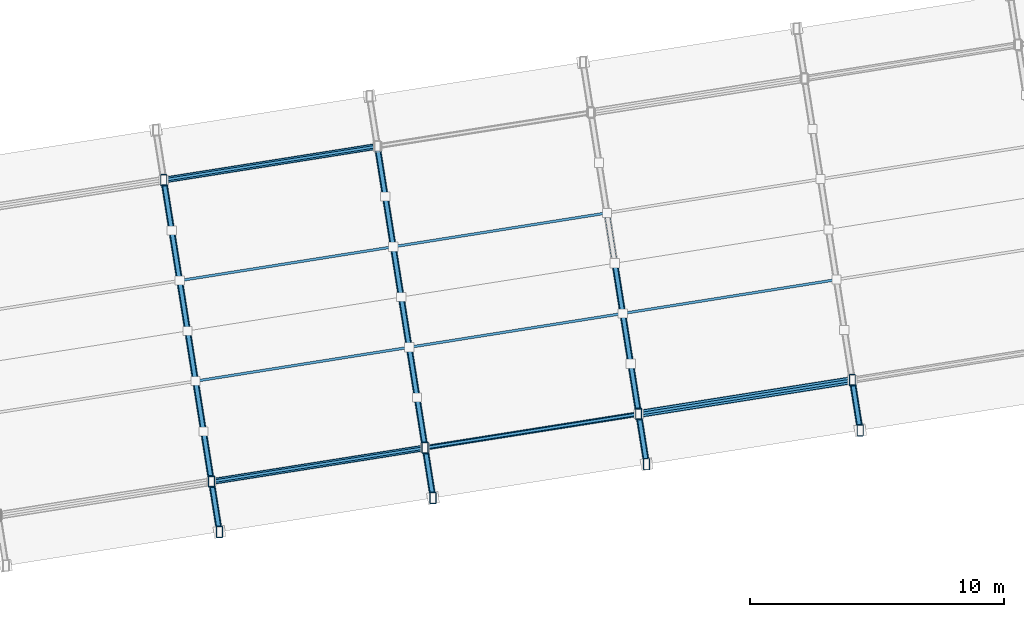
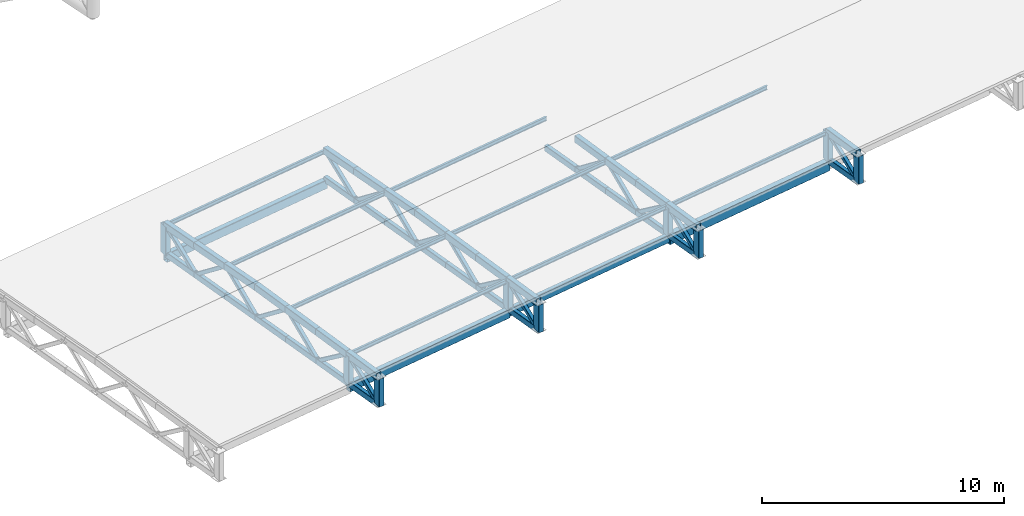
# One storey, part 19 of 137: 76 members, 4 beams.
"""IFC4 building model written with IfcOpenShell, lengths in metres."""

import ifcopenshell
import ifcopenshell.guid

model = None  # the IFC model being written
_history = None  # IfcOwnerHistory: only IFC2X3 demands one
_inside = {}  # id of a spatial element -> (the spatial element, [elements in it])
_under = {}  # id of a project, library or spatial element -> (it, [spatial elements below it])
_declared = {}  # id of a project -> (the project, [libraries it declares])
_typed = {}  # id of a type object -> (the type object, [elements of that type])
_made_of = {}  # id of a material, layer set ... -> (it, [elements and type objects made of it])


def new_model(schema):
    """Start an empty IFC model of exactly this schema.

    Asked for "IFC4X3", IfcOpenShell would pick the latest addendum, in which some entities
    have other attributes; the version numbers below select the first issue.
    IFC2X3 requires an IfcOwnerHistory on every rooted entity: one is made here for all.
    """
    global model, _history
    if schema == "IFC4X3":
        model = ifcopenshell.file(schema_version=(4, 3, 0, 0))
    else:
        model = ifcopenshell.file(schema=schema)
    _inside.clear()
    _under.clear()
    _declared.clear()
    _typed.clear()
    _made_of.clear()
    _history = None
    if model.schema == "IFC2X3":
        org = make("IfcOrganization", Name="unknown")
        user = make(
            "IfcPersonAndOrganization",
            ThePerson=make("IfcPerson", FamilyName="unknown"),
            TheOrganization=org,
        )
        app = make(
            "IfcApplication",
            ApplicationDeveloper=org,
            Version="unknown",
            ApplicationFullName="unknown",
            ApplicationIdentifier="unknown",
        )
        _history = make(
            "IfcOwnerHistory",
            OwningUser=user,
            OwningApplication=app,
            ChangeAction="ADDED",
            CreationDate=0,
        )
    return model


def make(cls, **values):
    """One entity of the class cls with the attributes given. An attribute that is None is left unset."""
    return model.create_entity(
        cls, **{name: value for name, value in values.items() if value is not None}
    )


def rooted(cls, **values):
    """An entity with a GlobalId (a new one), such as an element, a storey or a relation."""
    return make(cls, GlobalId=ifcopenshell.guid.new(), OwnerHistory=_history, **values)


def si_unit(unit_type, name, prefix=None):
    """IfcSIUnit, for example si_unit("LENGTHUNIT", "METRE", prefix="MILLI")."""
    return make("IfcSIUnit", UnitType=unit_type, Prefix=prefix, Name=name)


def assignment(units):
    """IfcUnitAssignment: the units of a project."""
    return None if units is None else make("IfcUnitAssignment", Units=units)


def point(xyz):
    """IfcCartesianPoint."""
    return None if xyz is None else make("IfcCartesianPoint", Coordinates=xyz)


def direction(xyz):
    """IfcDirection."""
    return None if xyz is None else make("IfcDirection", DirectionRatios=xyz)


def frame(location, z_axis=None, x_axis=None):
    """IfcAxis2Placement3D, a coordinate frame: its origin and axes. An axis left out is left unset."""
    return make(
        "IfcAxis2Placement3D",
        Location=point(location),
        Axis=direction(z_axis),
        RefDirection=direction(x_axis),
    )


def frame_2d(location, x_axis=None):
    """IfcAxis2Placement2D, a coordinate frame in the plane: its origin and x axis."""
    return make(
        "IfcAxis2Placement2D", Location=point(location), RefDirection=direction(x_axis)
    )


def origin():
    """The frame at (0, 0, 0) with its axes left unset."""
    return frame((0.0, 0.0, 0.0))


def origin_2d():
    """The frame at (0, 0) in the plane with its x axis left unset."""
    return frame_2d((0.0, 0.0))


def place(relative_to, where):
    """IfcLocalPlacement: puts the frame where relative to a parent placement (None: the world)."""
    return make(
        "IfcLocalPlacement", PlacementRelTo=relative_to, RelativePlacement=where
    )


def context(
    kind, dimensions, precision=None, world=None, true_north=None, identifier=None
):
    """IfcGeometricRepresentationContext, for example the 3D "Model" context."""
    return make(
        "IfcGeometricRepresentationContext",
        ContextIdentifier=identifier,
        ContextType=kind,
        CoordinateSpaceDimension=dimensions,
        Precision=precision,
        WorldCoordinateSystem=world,
        TrueNorth=true_north,
    )


def subcontext(parent, identifier, kind, view, scale=None):
    """IfcGeometricRepresentationSubContext, for example "Body" below "Model"."""
    return make(
        "IfcGeometricRepresentationSubContext",
        ContextIdentifier=identifier,
        ContextType=kind,
        ParentContext=parent,
        TargetScale=scale,
        TargetView=view,
    )


def project(units=None, contexts=None):
    """IfcProject with its units and contexts."""
    return rooted(
        "IfcProject",
        Name="project",
        RepresentationContexts=contexts,
        UnitsInContext=assignment(units),
    )


def spatial(cls, under=None, at=None, **own):
    """A site, building, storey or space (cls), placed at a placement, below another one or the project."""
    s = rooted(cls, ObjectPlacement=at, **own)
    if under is not None:
        _under.setdefault(under.id(), (under, []))[1].append(s)
    return s


def profile(cls, at=None, kind="AREA", **sizes):
    """A parametric profile (cls). Its sizes go by their IFC names, for example OverallWidth=200.0."""
    return make(cls, ProfileType=kind, Position=at, **sizes)


def hollow_rectangle(**sizes):
    """IfcRectangleHollowProfileDef."""
    return profile("IfcRectangleHollowProfileDef", **sizes)


def i_section(**sizes):
    """IfcIShapeProfileDef."""
    return profile("IfcIShapeProfileDef", **sizes)


def extrude(swept, where, along, depth):
    """IfcExtrudedAreaSolid: the profile swept, set in the frame where, extruded along a direction by depth."""
    return make(
        "IfcExtrudedAreaSolid",
        SweptArea=swept,
        Position=where,
        ExtrudedDirection=direction(along),
        Depth=depth,
    )


def shape(context_of_items, identifier, shape_type, items):
    """IfcShapeRepresentation: the items that make up one representation, for example the "Body"."""
    return make(
        "IfcShapeRepresentation",
        ContextOfItems=context_of_items,
        RepresentationIdentifier=identifier,
        RepresentationType=shape_type,
        Items=items,
    )


def material(Name=None, Category=None):
    """IfcMaterial."""
    return make("IfcMaterial", Name=Name, Category=Category)


def material_profile(
    of_material, cross_section, Name=None, Category=None, Priority=None
):
    """IfcMaterialProfile: a cross section and its material."""
    return make(
        "IfcMaterialProfile",
        Name=Name,
        Material=of_material,
        Profile=cross_section,
        Priority=Priority,
        Category=Category,
    )


def profile_set(profiles, Name=None, composite=None):
    """IfcMaterialProfileSet."""
    return make(
        "IfcMaterialProfileSet",
        Name=Name,
        MaterialProfiles=profiles,
        CompositeProfile=composite,
    )


def made_of(thing, what):
    """Note that an element or type object is made of a material, layer set ...; save() writes the relation."""
    if what is not None:
        _made_of.setdefault(what.id(), (what, []))[1].append(thing)
    return thing


def type_object(cls, material=None, **own):
    """A type object (cls), such as IfcWallType, which elements share."""
    return made_of(rooted(cls, **own), material)


def element(
    cls,
    number,
    at=None,
    inside=None,
    cuts=None,
    type_object=None,
    material=None,
    context=None,
    identifier="Body",
    shape_type=None,
    held_by="IfcProductDefinitionShape",
    body=None,
    shapes=None,
    **own,
):
    """One element of the class cls, such as IfcWall. Its Tag is "e" and its number.

    at: its placement. inside: the storey or other place that contains it. cuts: it is an
    opening in that element (IfcRelVoidsElement). A single representation is given by context,
    identifier, shape_type and body (its items); several are given by shapes. held_by: the class
    of the entity that holds the representations. save() writes the other relations.
    """
    e = rooted(cls, Tag="e%d" % number, ObjectPlacement=at, **own)
    if body is not None:
        shapes = [shape(context, identifier, shape_type, body)]
    if shapes is not None:
        e.Representation = make(held_by, Representations=shapes)
    if inside is not None:
        _inside.setdefault(inside.id(), (inside, []))[1].append(e)
    if cuts is not None:
        rooted(
            "IfcRelVoidsElement", RelatingBuildingElement=cuts, RelatedOpeningElement=e
        )
    if type_object is not None:
        _typed.setdefault(type_object.id(), (type_object, []))[1].append(e)
    return made_of(e, material)


def aggregate(whole, parts):
    """IfcRelAggregates: a whole, such as a stair, and the parts it consists of."""
    return rooted("IfcRelAggregates", RelatingObject=whole, RelatedObjects=parts)


def save(model, path):
    """Write the relations noted so far, then the file.

    IfcRelAggregates (storeys below a building ...), IfcRelContainedInSpatialStructure (elements
    in a storey), IfcRelDefinesByType, IfcRelAssociatesMaterial and IfcRelDeclares: one each for
    every whole, place, type object, material and project.
    """
    for whole, parts in _under.values():
        aggregate(whole, parts)
    for where, things in _inside.values():
        rooted(
            "IfcRelContainedInSpatialStructure",
            RelatedElements=things,
            RelatingStructure=where,
        )
    for kind, things in _typed.values():
        rooted("IfcRelDefinesByType", RelatedObjects=things, RelatingType=kind)
    for what, things in _made_of.values():
        rooted("IfcRelAssociatesMaterial", RelatedObjects=things, RelatingMaterial=what)
    for by, libraries in _declared.values():
        rooted("IfcRelDeclares", RelatingContext=by, RelatedDefinitions=libraries)
    model.write(path)


model = new_model("IFC4")

# Units and contexts
model_context = context("Model", 3, precision=1e-05, world=origin(), true_north=direction((0.0, 1.0)))
body_context = subcontext(model_context, "Body", "Model", "MODEL_VIEW")
ifc_project = project(units=[si_unit("LENGTHUNIT", "METRE"), si_unit("AREAUNIT", "SQUARE_METRE"), si_unit("VOLUMEUNIT", "CUBIC_METRE"), si_unit("PLANEANGLEUNIT", "RADIAN"), si_unit("MASSUNIT", "GRAM", prefix="KILO")], contexts=[model_context])

# Site, building, storey
site_placement = place(None, origin())
site = spatial("IfcSite", under=ifc_project, at=site_placement, CompositionType="ELEMENT")
building_placement = place(site_placement, origin())
building = spatial("IfcBuilding", under=site, at=building_placement, Name="Khorjan Park Terminus", CompositionType="ELEMENT")
storey_placement = place(building_placement, frame((0.0, 0.0, 11.4)))
storey = spatial("IfcBuildingStorey", under=building, at=storey_placement, Name="L02", CompositionType="ELEMENT", Elevation=11.4)

# Members
ifc_material = material(Name="Steel S355", Category="steel")
ifc_material_profile_1 = material_profile(ifc_material, hollow_rectangle(XDim=0.18, YDim=0.18, WallThickness=0.01, InnerFilletRadius=0.01, OuterFilletRadius=0.02, at=origin_2d()), Name="SHS 180x180x10")
ifc_profile_set_1 = profile_set([ifc_material_profile_1], Name="Steel S355")
member_type_1 = type_object("IfcMemberType", Name="MB-BR-SHS180E", PredefinedType="BRACE", material=ifc_profile_set_1)
for number, where, z_axis, x_axis, name in (
    (1, (62.7082, -10.6457, -2.0), (-0.126923459014, 0.801549235728, 0.584302368861), (-0.987693950393, -0.156399042059, 0.0), "Arrival canopy flat truss web brace TB-S18 (2)"),
    (2, (62.3954, -8.6703, -0.56), (-0.126963381588, 0.801545107028, -0.584299359178), (-0.987686225577, -0.156447818155, 0.0), "Arrival canopy flat truss web brace TB-S18 (2)"),
):
    element("IfcMember", number, at=place(storey_placement, frame(where, z_axis=z_axis, x_axis=x_axis)), inside=storey, type_object=member_type_1, Name=name, PredefinedType="BRACE", context=body_context, shape_type="SweptSolid", body=[
        extrude(hollow_rectangle(XDim=0.18, YDim=0.18, WallThickness=0.01, InnerFilletRadius=0.01, OuterFilletRadius=0.02, at=origin_2d()), origin(), (0.0, 0.0, 1.0), 2.4645),
    ])
member_1_placement = place(storey_placement, frame((62.0825, -6.6949, -2.0), z_axis=(-0.124562373336, 0.786347254878, 0.605096859928), x_axis=(-0.987685001707, -0.156455544492, 0.0)))
element("IfcMember", 3, at=member_1_placement, inside=storey, type_object=member_type_1, Name="Arrival canopy flat truss web brace TB-S18 (2)", PredefinedType="BRACE", context=body_context, shape_type="SweptSolid", body=[
    extrude(hollow_rectangle(XDim=0.18, YDim=0.18, WallThickness=0.01, InnerFilletRadius=0.01, OuterFilletRadius=0.02, at=origin_2d()), origin(), (0.0, 0.0, 1.0), 2.512),
])
for number, where, z_axis, x_axis, name in (
    (4, (61.7696, -4.7196, -0.48), (-0.124558474158, 0.786362447589, -0.605077918566), (-0.987686225577, -0.156447818155, 0.0), "Arrival canopy flat truss web brace TB-S18 (2)"),
    (5, (61.4567, -2.7442, -2.0), (-0.124519283718, 0.78636634609, 0.605080918324), (-0.987693950393, -0.156399042059, 0.0), "Arrival canopy flat truss web brace TB-S18 (2)"),
    (6, (61.1439, -0.7688, -0.48), (-0.124558474158, 0.786362447589, -0.605077918566), (-0.987686225577, -0.156447818155, 0.0), "Arrival canopy flat truss web brace TB-S18 (2)"),
):
    element("IfcMember", number, at=place(storey_placement, frame(where, z_axis=z_axis, x_axis=x_axis)), inside=storey, type_object=member_type_1, Name=name, PredefinedType="BRACE", context=body_context, shape_type="SweptSolid", body=[
        extrude(hollow_rectangle(XDim=0.18, YDim=0.18, WallThickness=0.01, InnerFilletRadius=0.01, OuterFilletRadius=0.02, at=origin_2d()), origin(), (0.0, 0.0, 1.0), 2.5121),
    ])
for number, where, z_axis, x_axis, name in (
    (7, (60.831, 1.2066, -2.0), (-0.126963381588, 0.801545107028, 0.584299359178), (-0.987686225577, -0.156447818155, 0.0), "Arrival canopy flat truss web brace TB-S18 (2)"),
    (8, (71.1036, -9.316, -2.0), (-0.126963381588, 0.801545107028, 0.584299359178), (-0.987686225577, -0.156447818155, 0.0), "Arrival canopy flat truss web brace TB-S18 (3)"),
    (9, (70.7907, -7.3406, -0.56), (-0.126963381588, 0.801545107028, -0.584299359178), (-0.987686225577, -0.156447818155, 0.0), "Arrival canopy flat truss web brace TB-S18 (3)"),
):
    element("IfcMember", number, at=place(storey_placement, frame(where, z_axis=z_axis, x_axis=x_axis)), inside=storey, type_object=member_type_1, Name=name, PredefinedType="BRACE", context=body_context, shape_type="SweptSolid", body=[
        extrude(hollow_rectangle(XDim=0.18, YDim=0.18, WallThickness=0.01, InnerFilletRadius=0.01, OuterFilletRadius=0.02, at=origin_2d()), origin(), (0.0, 0.0, 1.0), 2.4645),
    ])
member_2_placement = place(storey_placement, frame((70.4778, -5.3652, -2.0), z_axis=(-0.124523181709, 0.786351153547, 0.605099859967), x_axis=(-0.987692727277, -0.156406766108, 0.0)))
element("IfcMember", 10, at=member_2_placement, inside=storey, type_object=member_type_1, Name="Arrival canopy flat truss web brace TB-S18 (3)", PredefinedType="BRACE", context=body_context, shape_type="SweptSolid", body=[
    extrude(hollow_rectangle(XDim=0.18, YDim=0.18, WallThickness=0.01, InnerFilletRadius=0.01, OuterFilletRadius=0.02, at=origin_2d()), origin(), (0.0, 0.0, 1.0), 2.512),
])
for number, where, z_axis, x_axis, name in (
    (11, (70.165, -3.3899, -0.48), (-0.124558474158, 0.786362447589, -0.605077918566), (-0.987686225577, -0.156447818155, 0.0), "Arrival canopy flat truss web brace TB-S18 (3)"),
    (12, (69.8521, -1.4145, -2.0), (-0.124558474158, 0.786362447589, 0.605077918566), (-0.987686225577, -0.156447818155, 0.0), "Arrival canopy flat truss web brace TB-S18 (3)"),
    (13, (69.5392, 0.5609, -0.48), (-0.124519283718, 0.78636634609, -0.605080918324), (-0.987693950393, -0.156399042059, 0.0), "Arrival canopy flat truss web brace TB-S18 (3)"),
):
    element("IfcMember", number, at=place(storey_placement, frame(where, z_axis=z_axis, x_axis=x_axis)), inside=storey, type_object=member_type_1, Name=name, PredefinedType="BRACE", context=body_context, shape_type="SweptSolid", body=[
        extrude(hollow_rectangle(XDim=0.18, YDim=0.18, WallThickness=0.01, InnerFilletRadius=0.01, OuterFilletRadius=0.02, at=origin_2d()), origin(), (0.0, 0.0, 1.0), 2.5121),
    ])
member_3_placement = place(storey_placement, frame((69.2264, 2.5363, -2.0), z_axis=(-0.126967511013, 0.801530599245, 0.584318363242), x_axis=(-0.987685001707, -0.156455544492, 0.0)))
element("IfcMember", 14, at=member_3_placement, inside=storey, type_object=member_type_1, Name="Arrival canopy flat truss web brace TB-S18 (3)", PredefinedType="BRACE", context=body_context, shape_type="SweptSolid", body=[
    extrude(hollow_rectangle(XDim=0.18, YDim=0.18, WallThickness=0.01, InnerFilletRadius=0.01, OuterFilletRadius=0.02, at=origin_2d()), origin(), (0.0, 0.0, 1.0), 2.4644),
])
for number, where, z_axis, x_axis, name in (
    (15, (79.4989, -7.9863, -2.0), (-0.126923459014, 0.801549235728, 0.584302368861), (-0.987693950393, -0.156399042059, 0.0), "Arrival canopy flat truss web brace TB-S18 (4)"),
    (16, (79.1861, -6.0109, -0.56), (-0.126963381588, 0.801545107028, -0.584299359178), (-0.987686225577, -0.156447818155, 0.0), "Arrival canopy flat truss web brace TB-S18 (4)"),
):
    element("IfcMember", number, at=place(storey_placement, frame(where, z_axis=z_axis, x_axis=x_axis)), inside=storey, type_object=member_type_1, Name=name, PredefinedType="BRACE", context=body_context, shape_type="SweptSolid", body=[
        extrude(hollow_rectangle(XDim=0.18, YDim=0.18, WallThickness=0.01, InnerFilletRadius=0.01, OuterFilletRadius=0.02, at=origin_2d()), origin(), (0.0, 0.0, 1.0), 2.4645),
    ])
member_4_placement = place(storey_placement, frame((78.8732, -4.0355, -2.0), z_axis=(-0.124562373336, 0.786347254878, 0.605096859928), x_axis=(-0.987685001707, -0.156455544492, 0.0)))
element("IfcMember", 17, at=member_4_placement, inside=storey, type_object=member_type_1, Name="Arrival canopy flat truss web brace TB-S18 (4)", PredefinedType="BRACE", context=body_context, shape_type="SweptSolid", body=[
    extrude(hollow_rectangle(XDim=0.18, YDim=0.18, WallThickness=0.01, InnerFilletRadius=0.01, OuterFilletRadius=0.02, at=origin_2d()), origin(), (0.0, 0.0, 1.0), 2.512),
])
member_5_placement = place(storey_placement, frame((78.5603, -2.0602, -0.48), z_axis=(-0.124558474158, 0.786362447589, -0.605077918566), x_axis=(-0.987686225577, -0.156447818155, 0.0)))
element("IfcMember", 18, at=member_5_placement, inside=storey, type_object=member_type_1, Name="Arrival canopy flat truss web brace TB-S18 (4)", PredefinedType="BRACE", context=body_context, shape_type="SweptSolid", body=[
    extrude(hollow_rectangle(XDim=0.18, YDim=0.18, WallThickness=0.01, InnerFilletRadius=0.01, OuterFilletRadius=0.02, at=origin_2d()), origin(), (0.0, 0.0, 1.0), 2.5121),
])
member_6_placement = place(storey_placement, frame((87.8943, -6.6566, -2.0), z_axis=(-0.126963381588, 0.801545107028, 0.584299359178), x_axis=(-0.987686225577, -0.156447818155, 0.0)))
element("IfcMember", 19, at=member_6_placement, inside=storey, type_object=member_type_1, Name="Arrival canopy flat truss web brace TB-S18 (5)", PredefinedType="BRACE", context=body_context, shape_type="SweptSolid", body=[
    extrude(hollow_rectangle(XDim=0.18, YDim=0.18, WallThickness=0.01, InnerFilletRadius=0.01, OuterFilletRadius=0.02, at=origin_2d()), origin(), (0.0, 0.0, 1.0), 2.4645),
])
ifc_material_profile_2 = material_profile(ifc_material, hollow_rectangle(XDim=0.2, YDim=0.3, WallThickness=0.0125, InnerFilletRadius=0.0125, OuterFilletRadius=0.025, at=origin_2d()), Name="RHS 300x200x12.5")
ifc_profile_set_2 = profile_set([ifc_material_profile_2], Name="Steel S355")
member_type_2 = type_object("IfcMemberType", Name="MB-CH-RHS300E", PredefinedType="CHORD", material=ifc_profile_set_2)
for number, where, z_axis, x_axis, name in (
    (20, (62.7082, -10.6457, -2.0), (-0.156399042059, 0.987693950393, 0.0), (-0.987693950393, -0.156399042059, 0.0), "Arrival canopy flat truss bottom chord TC-R30 (2)"),
    (21, (62.3954, -8.6703, -2.0), (-0.156447818155, 0.987686225577, 0.0), (-0.987686225577, -0.156447818155, 0.0), "Arrival canopy flat truss bottom chord TC-R30 (2)"),
):
    element("IfcMember", number, at=place(storey_placement, frame(where, z_axis=z_axis, x_axis=x_axis)), inside=storey, type_object=member_type_2, Name=name, PredefinedType="CHORD", context=body_context, shape_type="SweptSolid", body=[
        extrude(hollow_rectangle(XDim=0.2, YDim=0.3, WallThickness=0.0125, InnerFilletRadius=0.0125, OuterFilletRadius=0.025, at=origin_2d()), origin(), (0.0, 0.0, 1.0), 2.0),
    ])
member_7_placement = place(storey_placement, frame((62.0825, -6.6949, -2.0), z_axis=(-0.156455544492, 0.987685001707, 0.0), x_axis=(-0.987685001707, -0.156455544492, 0.0)))
element("IfcMember", 22, at=member_7_placement, inside=storey, type_object=member_type_2, Name="Arrival canopy flat truss bottom chord TC-R30 (2)", PredefinedType="CHORD", context=body_context, shape_type="SweptSolid", body=[
    extrude(hollow_rectangle(XDim=0.2, YDim=0.3, WallThickness=0.0125, InnerFilletRadius=0.0125, OuterFilletRadius=0.025, at=origin_2d()), origin(), (0.0, 0.0, 1.0), 1.9999),
])
for number, where, z_axis, x_axis, name in (
    (23, (61.7696, -4.7196, -2.0), (-0.156447818155, 0.987686225577, 0.0), (-0.987686225577, -0.156447818155, 0.0), "Arrival canopy flat truss bottom chord TC-R30 (2)"),
    (24, (61.4567, -2.7442, -2.0), (-0.156399042059, 0.987693950393, 0.0), (-0.987693950393, -0.156399042059, 0.0), "Arrival canopy flat truss bottom chord TC-R30 (2)"),
    (25, (61.1439, -0.7688, -2.0), (-0.156447818155, 0.987686225577, 0.0), (-0.987686225577, -0.156447818155, 0.0), "Arrival canopy flat truss bottom chord TC-R30 (2)"),
    (26, (60.831, 1.2066, -2.0), (-0.156447818155, 0.987686225577, 0.0), (-0.987686225577, -0.156447818155, 0.0), "Arrival canopy flat truss bottom chord TC-R30 (2)"),
    (27, (71.1036, -9.316, -2.0), (-0.156447818155, 0.987686225577, 0.0), (-0.987686225577, -0.156447818155, 0.0), "Arrival canopy flat truss bottom chord TC-R30 (3)"),
    (28, (70.7907, -7.3406, -2.0), (-0.156447818155, 0.987686225577, 0.0), (-0.987686225577, -0.156447818155, 0.0), "Arrival canopy flat truss bottom chord TC-R30 (3)"),
):
    element("IfcMember", number, at=place(storey_placement, frame(where, z_axis=z_axis, x_axis=x_axis)), inside=storey, type_object=member_type_2, Name=name, PredefinedType="CHORD", context=body_context, shape_type="SweptSolid", body=[
        extrude(hollow_rectangle(XDim=0.2, YDim=0.3, WallThickness=0.0125, InnerFilletRadius=0.0125, OuterFilletRadius=0.025, at=origin_2d()), origin(), (0.0, 0.0, 1.0), 2.0),
    ])
member_8_placement = place(storey_placement, frame((70.4778, -5.3652, -2.0), z_axis=(-0.156406766108, 0.987692727277, 0.0), x_axis=(-0.987692727277, -0.156406766108, 0.0)))
element("IfcMember", 29, at=member_8_placement, inside=storey, type_object=member_type_2, Name="Arrival canopy flat truss bottom chord TC-R30 (3)", PredefinedType="CHORD", context=body_context, shape_type="SweptSolid", body=[
    extrude(hollow_rectangle(XDim=0.2, YDim=0.3, WallThickness=0.0125, InnerFilletRadius=0.0125, OuterFilletRadius=0.025, at=origin_2d()), origin(), (0.0, 0.0, 1.0), 1.9999),
])
for number, where, z_axis, x_axis, name in (
    (30, (70.165, -3.3899, -2.0), (-0.156447818155, 0.987686225577, 0.0), (-0.987686225577, -0.156447818155, 0.0), "Arrival canopy flat truss bottom chord TC-R30 (3)"),
    (31, (69.8521, -1.4145, -2.0), (-0.156447818155, 0.987686225577, 0.0), (-0.987686225577, -0.156447818155, 0.0), "Arrival canopy flat truss bottom chord TC-R30 (3)"),
    (32, (69.5392, 0.5609, -2.0), (-0.156399042059, 0.987693950393, 0.0), (-0.987693950393, -0.156399042059, 0.0), "Arrival canopy flat truss bottom chord TC-R30 (3)"),
):
    element("IfcMember", number, at=place(storey_placement, frame(where, z_axis=z_axis, x_axis=x_axis)), inside=storey, type_object=member_type_2, Name=name, PredefinedType="CHORD", context=body_context, shape_type="SweptSolid", body=[
        extrude(hollow_rectangle(XDim=0.2, YDim=0.3, WallThickness=0.0125, InnerFilletRadius=0.0125, OuterFilletRadius=0.025, at=origin_2d()), origin(), (0.0, 0.0, 1.0), 2.0),
    ])
member_9_placement = place(storey_placement, frame((69.2264, 2.5363, -2.0), z_axis=(-0.156455544492, 0.987685001707, 0.0), x_axis=(-0.987685001707, -0.156455544492, 0.0)))
element("IfcMember", 33, at=member_9_placement, inside=storey, type_object=member_type_2, Name="Arrival canopy flat truss bottom chord TC-R30 (3)", PredefinedType="CHORD", context=body_context, shape_type="SweptSolid", body=[
    extrude(hollow_rectangle(XDim=0.2, YDim=0.3, WallThickness=0.0125, InnerFilletRadius=0.0125, OuterFilletRadius=0.025, at=origin_2d()), origin(), (0.0, 0.0, 1.0), 1.9999),
])
for number, where, z_axis, x_axis, name in (
    (34, (79.4989, -7.9863, -2.0), (-0.156399042059, 0.987693950393, 0.0), (-0.987693950393, -0.156399042059, 0.0), "Arrival canopy flat truss bottom chord TC-R30 (4)"),
    (35, (79.1861, -6.0109, -2.0), (-0.156447818155, 0.987686225577, 0.0), (-0.987686225577, -0.156447818155, 0.0), "Arrival canopy flat truss bottom chord TC-R30 (4)"),
):
    element("IfcMember", number, at=place(storey_placement, frame(where, z_axis=z_axis, x_axis=x_axis)), inside=storey, type_object=member_type_2, Name=name, PredefinedType="CHORD", context=body_context, shape_type="SweptSolid", body=[
        extrude(hollow_rectangle(XDim=0.2, YDim=0.3, WallThickness=0.0125, InnerFilletRadius=0.0125, OuterFilletRadius=0.025, at=origin_2d()), origin(), (0.0, 0.0, 1.0), 2.0),
    ])
member_10_placement = place(storey_placement, frame((78.8732, -4.0355, -2.0), z_axis=(-0.156455544492, 0.987685001707, 0.0), x_axis=(-0.987685001707, -0.156455544492, 0.0)))
element("IfcMember", 36, at=member_10_placement, inside=storey, type_object=member_type_2, Name="Arrival canopy flat truss bottom chord TC-R30 (4)", PredefinedType="CHORD", context=body_context, shape_type="SweptSolid", body=[
    extrude(hollow_rectangle(XDim=0.2, YDim=0.3, WallThickness=0.0125, InnerFilletRadius=0.0125, OuterFilletRadius=0.025, at=origin_2d()), origin(), (0.0, 0.0, 1.0), 1.9999),
])
for number, where, z_axis, x_axis, name in (
    (37, (78.5603, -2.0602, -2.0), (-0.156447818155, 0.987686225577, 0.0), (-0.987686225577, -0.156447818155, 0.0), "Arrival canopy flat truss bottom chord TC-R30 (4)"),
    (38, (78.2474, -0.0848, -2.0), (-0.156399042059, 0.987693950393, 0.0), (-0.987693950393, -0.156399042059, 0.0), "Arrival canopy flat truss bottom chord TC-R30 (4)"),
    (39, (87.8943, -6.6566, -2.0), (-0.156447818155, 0.987686225577, 0.0), (-0.987686225577, -0.156447818155, 0.0), "Arrival canopy flat truss bottom chord TC-R30 (5)"),
):
    element("IfcMember", number, at=place(storey_placement, frame(where, z_axis=z_axis, x_axis=x_axis)), inside=storey, type_object=member_type_2, Name=name, PredefinedType="CHORD", context=body_context, shape_type="SweptSolid", body=[
        extrude(hollow_rectangle(XDim=0.2, YDim=0.3, WallThickness=0.0125, InnerFilletRadius=0.0125, OuterFilletRadius=0.025, at=origin_2d()), origin(), (0.0, 0.0, 1.0), 2.0),
    ])
ifc_material_profile_3 = material_profile(ifc_material, hollow_rectangle(XDim=0.25, YDim=0.35, WallThickness=0.0125, InnerFilletRadius=0.0125, OuterFilletRadius=0.025, at=origin_2d()), Name="RHS 350x250x12.5")
ifc_profile_set_3 = profile_set([ifc_material_profile_3], Name="Steel S355")
member_type_3 = type_object("IfcMemberType", Name="MB-CH-RHS350E", PredefinedType="CHORD", material=ifc_profile_set_3)
for number, where, z_axis, x_axis, name in (
    (40, (62.7082, -10.6457, -0.6), (-0.156367772014, 0.987496473263, 0.019995878774), (-0.987693950393, -0.156399042059, 0.0), "Arrival canopy flat truss top chord TC-R35 (2)"),
    (41, (62.3954, -8.6703, -0.56), (-0.156416538847, 0.98748875308, 0.019995722448), (-0.987686225577, -0.156447818155, 0.0), "Arrival canopy flat truss top chord TC-R35 (2)"),
):
    element("IfcMember", number, at=place(storey_placement, frame(where, z_axis=z_axis, x_axis=x_axis)), inside=storey, type_object=member_type_3, Name=name, PredefinedType="CHORD", context=body_context, shape_type="SweptSolid", body=[
        extrude(hollow_rectangle(XDim=0.25, YDim=0.35, WallThickness=0.0125, InnerFilletRadius=0.0125, OuterFilletRadius=0.025, at=origin_2d()), origin(), (0.0, 0.0, 1.0), 2.0004),
    ])
member_11_placement = place(storey_placement, frame((62.0825, -6.6949, -0.52), z_axis=(-0.15642426055, 0.987487509955, 0.019996709562), x_axis=(-0.987685001707, -0.156455544492, 0.0)))
element("IfcMember", 42, at=member_11_placement, inside=storey, type_object=member_type_3, Name="Arrival canopy flat truss top chord TC-R35 (2)", PredefinedType="CHORD", context=body_context, shape_type="SweptSolid", body=[
    extrude(hollow_rectangle(XDim=0.25, YDim=0.35, WallThickness=0.0125, InnerFilletRadius=0.0125, OuterFilletRadius=0.025, at=origin_2d()), origin(), (0.0, 0.0, 1.0), 2.0003),
])
for number, where, z_axis, x_axis, name in (
    (43, (61.7696, -4.7196, -0.48), (-0.156416538847, 0.98748875308, 0.019995722448), (-0.987686225577, -0.156447818155, 0.0), "Arrival canopy flat truss top chord TC-R35 (2)"),
    (44, (61.4567, -2.7442, -0.44), (-0.156367772014, 0.987496473263, -0.019995878774), (-0.987693950393, -0.156399042059, 0.0), "Arrival canopy flat truss top chord TC-R35 (2)"),
    (45, (61.1439, -0.7688, -0.48), (-0.156416538847, 0.98748875308, -0.019995722448), (-0.987686225577, -0.156447818155, 0.0), "Arrival canopy flat truss top chord TC-R35 (2)"),
    (46, (60.831, 1.2066, -0.52), (-0.156416538847, 0.98748875308, -0.019995722448), (-0.987686225577, -0.156447818155, 0.0), "Arrival canopy flat truss top chord TC-R35 (2)"),
    (47, (71.1036, -9.316, -0.6), (-0.156416538847, 0.98748875308, 0.019995722448), (-0.987686225577, -0.156447818155, 0.0), "Arrival canopy flat truss top chord TC-R35 (3)"),
    (48, (70.7907, -7.3406, -0.56), (-0.156416538847, 0.98748875308, 0.019995722448), (-0.987686225577, -0.156447818155, 0.0), "Arrival canopy flat truss top chord TC-R35 (3)"),
):
    element("IfcMember", number, at=place(storey_placement, frame(where, z_axis=z_axis, x_axis=x_axis)), inside=storey, type_object=member_type_3, Name=name, PredefinedType="CHORD", context=body_context, shape_type="SweptSolid", body=[
        extrude(hollow_rectangle(XDim=0.25, YDim=0.35, WallThickness=0.0125, InnerFilletRadius=0.0125, OuterFilletRadius=0.025, at=origin_2d()), origin(), (0.0, 0.0, 1.0), 2.0004),
    ])
member_12_placement = place(storey_placement, frame((70.4778, -5.3652, -0.52), z_axis=(-0.156375491431, 0.987495230892, 0.019996865912), x_axis=(-0.987692727277, -0.156406766108, 0.0)))
element("IfcMember", 49, at=member_12_placement, inside=storey, type_object=member_type_3, Name="Arrival canopy flat truss top chord TC-R35 (3)", PredefinedType="CHORD", context=body_context, shape_type="SweptSolid", body=[
    extrude(hollow_rectangle(XDim=0.25, YDim=0.35, WallThickness=0.0125, InnerFilletRadius=0.0125, OuterFilletRadius=0.025, at=origin_2d()), origin(), (0.0, 0.0, 1.0), 2.0003),
])
for number, where, z_axis, x_axis, name in (
    (50, (70.165, -3.3899, -0.48), (-0.156416538847, 0.98748875308, 0.019995722448), (-0.987686225577, -0.156447818155, 0.0), "Arrival canopy flat truss top chord TC-R35 (3)"),
    (51, (69.8521, -1.4145, -0.44), (-0.156416538847, 0.98748875308, -0.019995722448), (-0.987686225577, -0.156447818155, 0.0), "Arrival canopy flat truss top chord TC-R35 (3)"),
    (52, (69.5392, 0.5609, -0.48), (-0.156367772014, 0.987496473263, -0.019995878774), (-0.987693950393, -0.156399042059, 0.0), "Arrival canopy flat truss top chord TC-R35 (3)"),
):
    element("IfcMember", number, at=place(storey_placement, frame(where, z_axis=z_axis, x_axis=x_axis)), inside=storey, type_object=member_type_3, Name=name, PredefinedType="CHORD", context=body_context, shape_type="SweptSolid", body=[
        extrude(hollow_rectangle(XDim=0.25, YDim=0.35, WallThickness=0.0125, InnerFilletRadius=0.0125, OuterFilletRadius=0.025, at=origin_2d()), origin(), (0.0, 0.0, 1.0), 2.0004),
    ])
member_13_placement = place(storey_placement, frame((69.2264, 2.5363, -0.52), z_axis=(-0.15642426055, 0.987487509955, -0.019996709562), x_axis=(-0.987685001707, -0.156455544492, 0.0)))
element("IfcMember", 53, at=member_13_placement, inside=storey, type_object=member_type_3, Name="Arrival canopy flat truss top chord TC-R35 (3)", PredefinedType="CHORD", context=body_context, shape_type="SweptSolid", body=[
    extrude(hollow_rectangle(XDim=0.25, YDim=0.35, WallThickness=0.0125, InnerFilletRadius=0.0125, OuterFilletRadius=0.025, at=origin_2d()), origin(), (0.0, 0.0, 1.0), 2.0003),
])
for number, where, z_axis, x_axis, name in (
    (54, (79.4989, -7.9863, -0.6), (-0.156367772014, 0.987496473263, 0.019995878774), (-0.987693950393, -0.156399042059, 0.0), "Arrival canopy flat truss top chord TC-R35 (4)"),
    (55, (79.1861, -6.0109, -0.56), (-0.156416538847, 0.98748875308, 0.019995722448), (-0.987686225577, -0.156447818155, 0.0), "Arrival canopy flat truss top chord TC-R35 (4)"),
):
    element("IfcMember", number, at=place(storey_placement, frame(where, z_axis=z_axis, x_axis=x_axis)), inside=storey, type_object=member_type_3, Name=name, PredefinedType="CHORD", context=body_context, shape_type="SweptSolid", body=[
        extrude(hollow_rectangle(XDim=0.25, YDim=0.35, WallThickness=0.0125, InnerFilletRadius=0.0125, OuterFilletRadius=0.025, at=origin_2d()), origin(), (0.0, 0.0, 1.0), 2.0004),
    ])
member_14_placement = place(storey_placement, frame((78.8732, -4.0355, -0.52), z_axis=(-0.15642426055, 0.987487509955, 0.019996709562), x_axis=(-0.987685001707, -0.156455544492, 0.0)))
element("IfcMember", 56, at=member_14_placement, inside=storey, type_object=member_type_3, Name="Arrival canopy flat truss top chord TC-R35 (4)", PredefinedType="CHORD", context=body_context, shape_type="SweptSolid", body=[
    extrude(hollow_rectangle(XDim=0.25, YDim=0.35, WallThickness=0.0125, InnerFilletRadius=0.0125, OuterFilletRadius=0.025, at=origin_2d()), origin(), (0.0, 0.0, 1.0), 2.0003),
])
for number, where, z_axis, x_axis, name in (
    (57, (78.5603, -2.0602, -0.48), (-0.156416538847, 0.98748875308, 0.019995722448), (-0.987686225577, -0.156447818155, 0.0), "Arrival canopy flat truss top chord TC-R35 (4)"),
    (58, (87.8943, -6.6566, -0.6), (-0.156416538847, 0.98748875308, 0.019995722448), (-0.987686225577, -0.156447818155, 0.0), "Arrival canopy flat truss top chord TC-R35 (5)"),
):
    element("IfcMember", number, at=place(storey_placement, frame(where, z_axis=z_axis, x_axis=x_axis)), inside=storey, type_object=member_type_3, Name=name, PredefinedType="CHORD", context=body_context, shape_type="SweptSolid", body=[
        extrude(hollow_rectangle(XDim=0.25, YDim=0.35, WallThickness=0.0125, InnerFilletRadius=0.0125, OuterFilletRadius=0.025, at=origin_2d()), origin(), (0.0, 0.0, 1.0), 2.0004),
    ])
ifc_material_profile_4 = material_profile(ifc_material, i_section(OverallWidth=0.1, OverallDepth=0.2, WebThickness=0.0056, FlangeThickness=0.0085, FilletRadius=0.012, at=origin_2d()), Name="IPE 200")
ifc_profile_set_4 = profile_set([ifc_material_profile_4], Name="Steel S355")
member_type_4 = type_object("IfcMemberType", Name="MB-PRE-IPE200", PredefinedType="PURLIN", material=ifc_profile_set_4)
for number, where, z_axis, x_axis, name in (
    (59, (62.3954, -8.6703, -0.61), (0.987688065964, 0.156436198982, 0.0), (-0.156436198982, 0.987688065964, 0.0), "Arrival canopy roof purlin PRE-20 (2)"),
    (60, (61.7696, -4.7196, -0.53), (0.98768835387, 0.156434381226, 0.0), (-0.156434381226, 0.98768835387, 0.0), "Arrival canopy roof purlin PRE-20 (2)"),
    (61, (61.1439, -0.7688, -0.53), (0.987688065964, 0.156436198982, 0.0), (-0.156436198982, 0.987688065964, 0.0), "Arrival canopy roof purlin PRE-20 (2)"),
    (62, (60.5181, 3.182, -0.61), (0.987690171542, 0.156422904458, 0.0), (-0.156422904458, 0.987690171542, 0.0), "Arrival canopy roof purlin PRE-20 (2)"),
    (63, (70.7907, -7.3406, -0.61), (0.98768835387, 0.156434381226, 0.0), (-0.156434381226, 0.98768835387, 0.0), "Arrival canopy roof purlin PRE-20 (3)"),
    (64, (70.165, -3.3899, -0.53), (0.987688065964, 0.156436198982, 0.0), (-0.156436198982, 0.987688065964, 0.0), "Arrival canopy roof purlin PRE-20 (3)"),
    (65, (69.5392, 0.5609, -0.53), (0.98768835387, 0.156434381226, 0.0), (-0.156434381226, 0.98768835387, 0.0), "Arrival canopy roof purlin PRE-20 (3)"),
    (66, (79.1861, -6.0109, -0.61), (0.987688065964, 0.156436198982, 0.0), (-0.156436198982, 0.987688065964, 0.0), "Arrival canopy roof purlin PRE-20 (4)"),
    (67, (78.5603, -2.0602, -0.53), (0.98768835387, 0.156434381226, 0.0), (-0.156434381226, 0.98768835387, 0.0), "Arrival canopy roof purlin PRE-20 (4)"),
):
    element("IfcMember", number, at=place(storey_placement, frame(where, z_axis=z_axis, x_axis=x_axis)), inside=storey, type_object=member_type_4, Name=name, PredefinedType="PURLIN", context=body_context, shape_type="SweptSolid", body=[
        extrude(i_section(OverallWidth=0.1, OverallDepth=0.2, WebThickness=0.0056, FlangeThickness=0.0085, FilletRadius=0.012, at=origin_2d()), origin(), (0.0, 0.0, 1.0), 8.5),
    ])
ifc_material_profile_5 = material_profile(ifc_material, hollow_rectangle(XDim=0.25, YDim=0.45, WallThickness=0.016, InnerFilletRadius=0.016, OuterFilletRadius=0.032, at=origin_2d()), Name="RHS 450x250x16")
ifc_profile_set_5 = profile_set([ifc_material_profile_5], Name="Steel S355")
member_type_5 = type_object("IfcMemberType", Name="MB-STE-RHS250", PredefinedType="STRUT", material=ifc_profile_set_5)
member_15_placement = place(storey_placement, frame((62.7082, -10.6457, -2.0), z_axis=(0.0, 0.0, 1.0), x_axis=(1.0, 0.0, 0.0)))
element("IfcMember", 68, at=member_15_placement, inside=storey, type_object=member_type_5, Name="Arrival canopy truss post STE-R25 (2S)", PredefinedType="STRUT", context=body_context, shape_type="SweptSolid", body=[
    extrude(hollow_rectangle(XDim=0.25, YDim=0.45, WallThickness=0.016, InnerFilletRadius=0.016, OuterFilletRadius=0.032, at=origin_2d()), origin(), (0.0, 0.0, 1.0), 1.4),
])
for number, where, z_axis, x_axis, name in (
    (69, (62.3954, -8.6703, -2.0), (0.0, 0.0, 1.0), (1.0, 0.0, 0.0), "Arrival canopy truss post STE-R25 (2CS)"),
    (70, (60.5181, 3.182, -2.0), (0.0, 0.0, 1.0), (1.0, 0.0, 0.0), "Arrival canopy truss post STE-R25 (2CN)"),
):
    element("IfcMember", number, at=place(storey_placement, frame(where, z_axis=z_axis, x_axis=x_axis)), inside=storey, type_object=member_type_5, Name=name, PredefinedType="STRUT", context=body_context, shape_type="SweptSolid", body=[
        extrude(hollow_rectangle(XDim=0.25, YDim=0.45, WallThickness=0.016, InnerFilletRadius=0.016, OuterFilletRadius=0.032, at=origin_2d()), origin(), (0.0, 0.0, 1.0), 1.44),
    ])
member_16_placement = place(storey_placement, frame((71.1036, -9.316, -2.0), z_axis=(0.0, 0.0, 1.0), x_axis=(1.0, 0.0, 0.0)))
element("IfcMember", 71, at=member_16_placement, inside=storey, type_object=member_type_5, Name="Arrival canopy truss post STE-R25 (3S)", PredefinedType="STRUT", context=body_context, shape_type="SweptSolid", body=[
    extrude(hollow_rectangle(XDim=0.25, YDim=0.45, WallThickness=0.016, InnerFilletRadius=0.016, OuterFilletRadius=0.032, at=origin_2d()), origin(), (0.0, 0.0, 1.0), 1.4),
])
member_17_placement = place(storey_placement, frame((70.7907, -7.3406, -2.0), z_axis=(0.0, 0.0, 1.0), x_axis=(1.0, 0.0, 0.0)))
element("IfcMember", 72, at=member_17_placement, inside=storey, type_object=member_type_5, Name="Arrival canopy truss post STE-R25 (3CS)", PredefinedType="STRUT", context=body_context, shape_type="SweptSolid", body=[
    extrude(hollow_rectangle(XDim=0.25, YDim=0.45, WallThickness=0.016, InnerFilletRadius=0.016, OuterFilletRadius=0.032, at=origin_2d()), origin(), (0.0, 0.0, 1.0), 1.44),
])
member_18_placement = place(storey_placement, frame((79.4989, -7.9863, -2.0), z_axis=(0.0, 0.0, 1.0), x_axis=(1.0, 0.0, 0.0)))
element("IfcMember", 73, at=member_18_placement, inside=storey, type_object=member_type_5, Name="Arrival canopy truss post STE-R25 (4S)", PredefinedType="STRUT", context=body_context, shape_type="SweptSolid", body=[
    extrude(hollow_rectangle(XDim=0.25, YDim=0.45, WallThickness=0.016, InnerFilletRadius=0.016, OuterFilletRadius=0.032, at=origin_2d()), origin(), (0.0, 0.0, 1.0), 1.4),
])
member_19_placement = place(storey_placement, frame((79.1861, -6.0109, -2.0), z_axis=(0.0, 0.0, 1.0), x_axis=(1.0, 0.0, 0.0)))
element("IfcMember", 74, at=member_19_placement, inside=storey, type_object=member_type_5, Name="Arrival canopy truss post STE-R25 (4CS)", PredefinedType="STRUT", context=body_context, shape_type="SweptSolid", body=[
    extrude(hollow_rectangle(XDim=0.25, YDim=0.45, WallThickness=0.016, InnerFilletRadius=0.016, OuterFilletRadius=0.032, at=origin_2d()), origin(), (0.0, 0.0, 1.0), 1.44),
])
member_20_placement = place(storey_placement, frame((87.8943, -6.6566, -2.0), z_axis=(0.0, 0.0, 1.0), x_axis=(1.0, 0.0, 0.0)))
element("IfcMember", 75, at=member_20_placement, inside=storey, type_object=member_type_5, Name="Arrival canopy truss post STE-R25 (5S)", PredefinedType="STRUT", context=body_context, shape_type="SweptSolid", body=[
    extrude(hollow_rectangle(XDim=0.25, YDim=0.45, WallThickness=0.016, InnerFilletRadius=0.016, OuterFilletRadius=0.032, at=origin_2d()), origin(), (0.0, 0.0, 1.0), 1.4),
])
member_21_placement = place(storey_placement, frame((87.5814, -4.6812, -2.0), z_axis=(0.0, 0.0, 1.0), x_axis=(1.0, 0.0, 0.0)))
element("IfcMember", 76, at=member_21_placement, inside=storey, type_object=member_type_5, Name="Arrival canopy truss post STE-R25 (5CS)", PredefinedType="STRUT", context=body_context, shape_type="SweptSolid", body=[
    extrude(hollow_rectangle(XDim=0.25, YDim=0.45, WallThickness=0.016, InnerFilletRadius=0.016, OuterFilletRadius=0.032, at=origin_2d()), origin(), (0.0, 0.0, 1.0), 1.44),
])

# Beams
ifc_material_profile_6 = material_profile(ifc_material, hollow_rectangle(XDim=0.2, YDim=0.4, WallThickness=0.0125, InnerFilletRadius=0.0125, OuterFilletRadius=0.025, at=origin_2d()), Name="RHS 400x200x12.5")
ifc_profile_set_6 = profile_set([ifc_material_profile_6], Name="Steel S355")
beam_type_1 = type_object("IfcBeamType", Name="SP-RHS400", PredefinedType="SPANDREL", material=ifc_profile_set_6)
beam_1_placement = place(storey_placement, frame((70.7907, -7.3406, -2.2), z_axis=(0.98768835387, 0.156434381226, 0.0), x_axis=(-0.156434381226, 0.98768835387, 0.0)))
element("IfcBeam", 77, at=beam_1_placement, inside=storey, type_object=beam_type_1, Name="Arrival canopy tie beam SP-R40 (S3)", PredefinedType="SPANDREL", context=body_context, shape_type="SweptSolid", body=[
    extrude(hollow_rectangle(XDim=0.2, YDim=0.4, WallThickness=0.0125, InnerFilletRadius=0.0125, OuterFilletRadius=0.025, at=origin_2d()), origin(), (0.0, 0.0, 1.0), 8.5),
])
ifc_material_profile_7 = material_profile(ifc_material, hollow_rectangle(XDim=0.25, YDim=0.45, WallThickness=0.016, InnerFilletRadius=0.016, OuterFilletRadius=0.032, at=origin_2d()), Name="RHS 450x250x16")
ifc_profile_set_7 = profile_set([ifc_material_profile_7], Name="Steel S355")
beam_type_2 = type_object("IfcBeamType", Name="SP-RHS450", PredefinedType="SPANDREL", material=ifc_profile_set_7)
for number, where, z_axis, x_axis, name in (
    (78, (62.3954, -8.6703, -2.225), (0.987688065964, 0.156436198982, 0.0), (-0.156436198982, 0.987688065964, 0.0), "Arrival canopy tie beam SP-R45 (S2)"),
    (79, (60.5181, 3.182, -2.225), (0.987690171542, 0.156422904458, 0.0), (-0.156422904458, 0.987690171542, 0.0), "Arrival canopy tie beam SP-R45 (N2)"),
):
    element("IfcBeam", number, at=place(storey_placement, frame(where, z_axis=z_axis, x_axis=x_axis)), inside=storey, type_object=beam_type_2, Name=name, PredefinedType="SPANDREL", context=body_context, shape_type="SweptSolid", body=[
        extrude(hollow_rectangle(XDim=0.25, YDim=0.45, WallThickness=0.016, InnerFilletRadius=0.016, OuterFilletRadius=0.032, at=origin_2d()), origin(), (0.0, 0.0, 1.0), 8.5),
    ])
ifc_material_profile_8 = material_profile(ifc_material, hollow_rectangle(XDim=0.3, YDim=0.5, WallThickness=0.016, InnerFilletRadius=0.016, OuterFilletRadius=0.032, at=origin_2d()), Name="RHS 500x300x16")
ifc_profile_set_8 = profile_set([ifc_material_profile_8], Name="Steel S355")
beam_type_3 = type_object("IfcBeamType", Name="SP-RHS500", PredefinedType="SPANDREL", material=ifc_profile_set_8)
beam_2_placement = place(storey_placement, frame((79.1861, -6.0109, -2.25), z_axis=(0.987688065964, 0.156436198982, 0.0), x_axis=(-0.156436198982, 0.987688065964, 0.0)))
element("IfcBeam", 80, at=beam_2_placement, inside=storey, type_object=beam_type_3, Name="Arrival canopy tie beam SP-R50 (S4)", PredefinedType="SPANDREL", context=body_context, shape_type="SweptSolid", body=[
    extrude(hollow_rectangle(XDim=0.3, YDim=0.5, WallThickness=0.016, InnerFilletRadius=0.016, OuterFilletRadius=0.032, at=origin_2d()), origin(), (0.0, 0.0, 1.0), 8.5),
])

save(model, "model.ifc")
